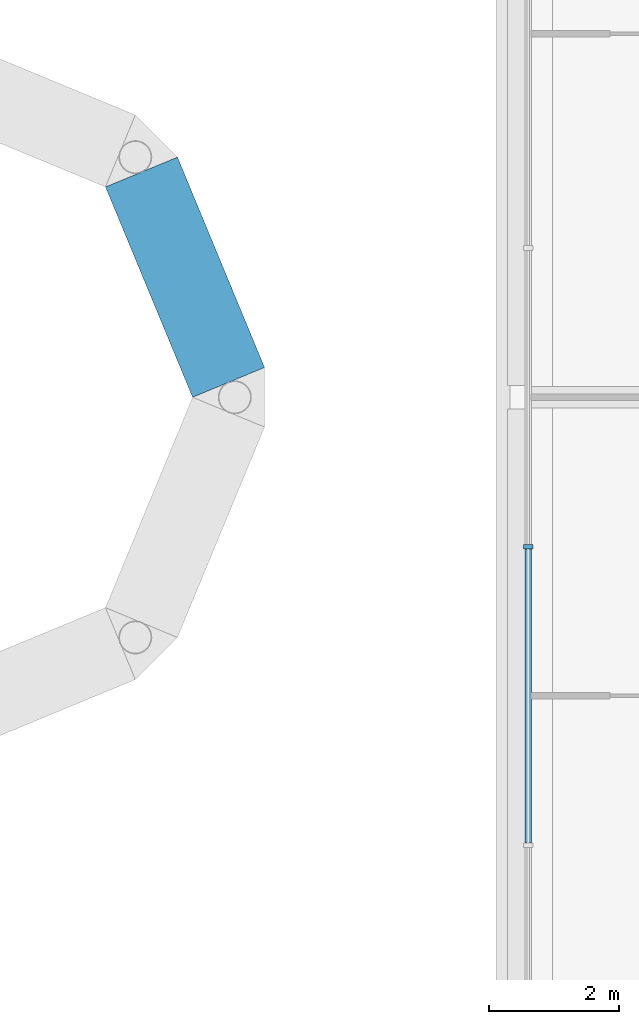
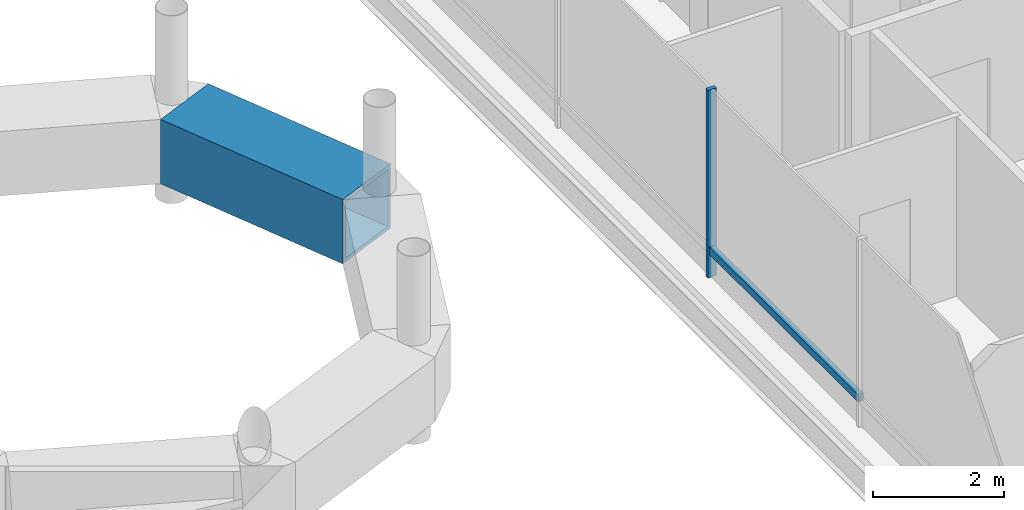
# One storey, part 9 of 21: 2 members, 1 beam, 1 element without a shape of its own.
"""IFC4 building model written with IfcOpenShell, lengths in metres."""

from ifc_helpers import new_model, si_unit, direction, frame, origin, origin_2d, place, context, subcontext, project, spatial, rectangle, hollow_rectangle, extrude, material, material_profile, profile_set, type_object, element, aggregate, save


model = new_model("IFC4")

# Units and contexts
model_context = context("Model", 3, precision=1e-05, world=origin(), true_north=direction((0.0, 1.0)))
body_context = subcontext(model_context, "Body", "Model", "MODEL_VIEW")
ifc_project = project(units=[si_unit("LENGTHUNIT", "METRE"), si_unit("AREAUNIT", "SQUARE_METRE"), si_unit("VOLUMEUNIT", "CUBIC_METRE"), si_unit("PLANEANGLEUNIT", "RADIAN"), si_unit("MASSUNIT", "GRAM", prefix="KILO")], contexts=[model_context])

# Site, building, storey
site_placement = place(None, origin())
site = spatial("IfcSite", under=ifc_project, at=site_placement, CompositionType="ELEMENT")
building_placement = place(site_placement, origin())
building = spatial("IfcBuilding", under=site, at=building_placement, Name="Cobrizo Arcos Hotel Tower", CompositionType="ELEMENT")
storey_placement = place(building_placement, frame((0.0, 0.0, 279.5)))
storey = spatial("IfcBuildingStorey", under=building, at=storey_placement, Name="L74", CompositionType="ELEMENT", Elevation=279.5)

# Beam
ifc_material_1 = material(Name="Steel ASTM A572 Grade 50", Category="steel")
ifc_material_profile_1 = material_profile(ifc_material_1, hollow_rectangle(XDim=1.199951171875, YDim=1.199951171875, WallThickness=0.070068359375, at=origin_2d()), Name="BOX 1200X1200X70")
ifc_profile_set_1 = profile_set([ifc_material_profile_1], Name="Steel ASTM A572 Grade 50")
beam_type = type_object("IfcBeamType", Name="BOX 1200X1200X70 drum ring beam", PredefinedType="BEAM", material=ifc_profile_set_1)
beam_placement = place(storey_placement, frame((5.137451171875, 0.2294921875, 1.2333984375), z_axis=(-0.382642737497, 0.923896387827, 0.0), x_axis=(-0.923896387827, -0.382642737497, 0.0)))
element("IfcBeam", 1, at=beam_placement, inside=storey, type_object=beam_type, Name="Drum ring beam RB1, tier 1, no. 0", PredefinedType="BEAM", context=body_context, shape_type="SweptSolid", body=[
    extrude(hollow_rectangle(XDim=1.199951171875, YDim=1.199951171875, WallThickness=0.070068359375, at=origin_2d()), origin(), (0.0, 0.0, 1.0), 3.5078125),
])

# Curtain wall, members
ifc_material_2 = material(Name="Aluminium 6063-T6 anodised bronze", Category="aluminium")
curtain_wall_type = type_object("IfcCurtainWallType", Name="CW-C arch infill and crown glazing", PredefinedType="NOTDEFINED", material=ifc_material_2)
curtain_wall_placement = place(storey_placement, origin())
curtain_wall = element("IfcCurtainWall", 2, at=curtain_wall_placement, inside=storey, type_object=curtain_wall_type, Name="CW-C L74 W face", PredefinedType="NOTDEFINED")
ifc_material_profile_2 = material_profile(ifc_material_2, rectangle(XDim=0.14990234375, YDim=0.070068359375, at=origin_2d()), Name="CW-C mullion 150x70")
ifc_profile_set_2 = profile_set([ifc_material_profile_2], Name="Aluminium 6063-T6 anodised bronze")
member_type_1 = type_object("IfcMemberType", Name="CW-C mullion 150x70", PredefinedType="MULLION", material=ifc_profile_set_2)
member_1_placement = place(storey_placement, frame((9.7529296875, -2.300048828125, 0.0), z_axis=(0.0, 0.0, 1.0), x_axis=(-1.0, 0.0, 0.0)))
member_1 = element("IfcMember", 3, at=member_1_placement, type_object=member_type_1, Name="CW-C mullion 6", PredefinedType="MULLION", context=body_context, shape_type="SweptSolid", body=[
    extrude(rectangle(XDim=0.14990234375, YDim=0.070068359375, at=origin_2d()), origin(), (0.0, 0.0, 1.0), 3.5),
])
ifc_material_profile_3 = material_profile(ifc_material_2, rectangle(XDim=0.10009765625, YDim=0.139892578125, at=origin_2d()), Name="CW-C transom 140x100")
ifc_profile_set_3 = profile_set([ifc_material_profile_3], Name="Aluminium 6063-T6 anodised bronze")
member_type_2 = type_object("IfcMemberType", Name="CW-C transom 140x100", PredefinedType="USERDEFINED", material=ifc_profile_set_3)
member_2_placement = place(storey_placement, frame((9.7529296875, -2.3349609375, 0.5), z_axis=(0.0, -1.0, 0.0), x_axis=(1.0, 0.0, 0.0)))
member_2 = element("IfcMember", 4, at=member_2_placement, type_object=member_type_2, Name="CW-C transom 2330", ObjectType="TRANSOM", PredefinedType="USERDEFINED", context=body_context, shape_type="SweptSolid", body=[
    extrude(rectangle(XDim=0.10009765625, YDim=0.139892578125, at=origin_2d()), origin(), (0.0, 0.0, 1.0), 4.530029296875),
])
aggregate(curtain_wall, [member_1, member_2])

save(model, "model.ifc")
